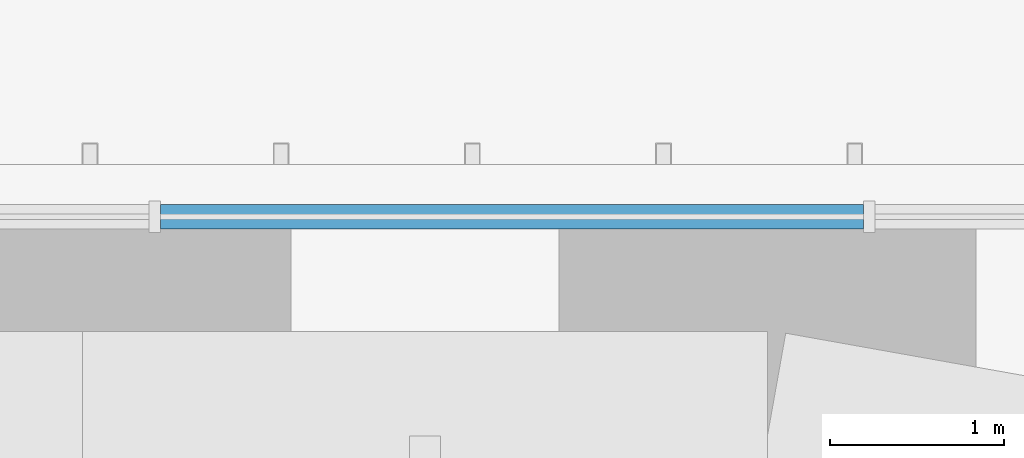
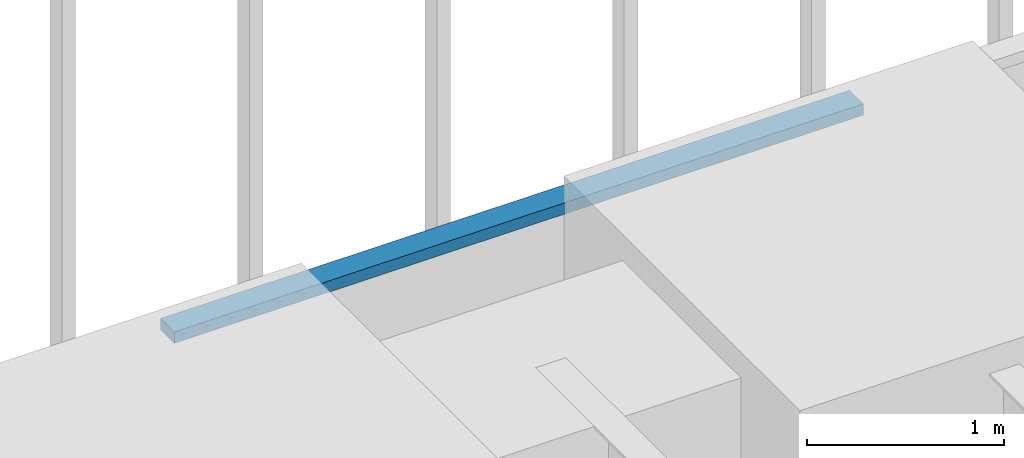
# One storey, part 212 of 238: 1 member, 1 element without a shape of its own.
"""IFC4 building model written with IfcOpenShell, lengths in metres."""

from ifc_helpers import new_model, si_unit, direction, frame, origin, origin_2d, place, context, subcontext, project, spatial, rectangle, extrude, material, material_profile, profile_set, type_object, element, aggregate, save


model = new_model("IFC4")

# Units and contexts
model_context = context("Model", 3, precision=1e-05, world=origin(), true_north=direction((0.0, 1.0)))
body_context = subcontext(model_context, "Body", "Model", "MODEL_VIEW")
ifc_project = project(units=[si_unit("LENGTHUNIT", "METRE"), si_unit("AREAUNIT", "SQUARE_METRE"), si_unit("VOLUMEUNIT", "CUBIC_METRE"), si_unit("PLANEANGLEUNIT", "RADIAN"), si_unit("MASSUNIT", "GRAM", prefix="KILO")], contexts=[model_context])

# Site, building, storey
site_placement = place(None, origin())
site = spatial("IfcSite", under=ifc_project, at=site_placement, CompositionType="ELEMENT")
building_placement = place(site_placement, origin())
building = spatial("IfcBuilding", under=site, at=building_placement, Name="Sandreach Pilgrim Tower", CompositionType="ELEMENT")
storey_placement = place(building_placement, frame((0.0, 0.0, 96.800048828125)))
storey = spatial("IfcBuildingStorey", under=building, at=storey_placement, Name="L23", CompositionType="ELEMENT", Elevation=96.800048828125)

# Curtain wall, member
ifc_material_1 = material(Name="Aluminium framed curtain wall", Category="aluminium")
curtain_wall_type = type_object("IfcCurtainWallType", Name="Hotel tower curtain wall", PredefinedType="NOTDEFINED", material=ifc_material_1)
curtain_wall_placement = place(storey_placement, origin())
curtain_wall = element("IfcCurtainWall", 1, at=curtain_wall_placement, inside=storey, type_object=curtain_wall_type, Name="CW-2 L23 N", PredefinedType="NOTDEFINED")
ifc_material_2 = material(Name="Aluminium extrusion", Category="aluminium")
ifc_material_profile = material_profile(ifc_material_2, rectangle(XDim=0.139892578125, YDim=0.070068359375, at=origin_2d()), Name="CW-2T 140X70")
ifc_profile_set = profile_set([ifc_material_profile], Name="Aluminium extrusion")
member_type = type_object("IfcMemberType", Name="CW-2 transom", PredefinedType="USERDEFINED", material=ifc_profile_set)
member_placement = place(storey_placement, frame((10.300048828125, 22.493896484375, 3.60498046875), z_axis=(1.0, 0.0, 0.0), x_axis=(0.0, 1.0, 0.0)))
member = element("IfcMember", 2, at=member_placement, type_object=member_type, Name="CW-2 head transom 8", ObjectType="TRANSOM", PredefinedType="USERDEFINED", context=body_context, shape_type="SweptSolid", body=[
    extrude(rectangle(XDim=0.139892578125, YDim=0.070068359375, at=origin_2d()), origin(), (0.0, 0.0, 1.0), 4.041748046875),
])
aggregate(curtain_wall, [member])

save(model, "model.ifc")
